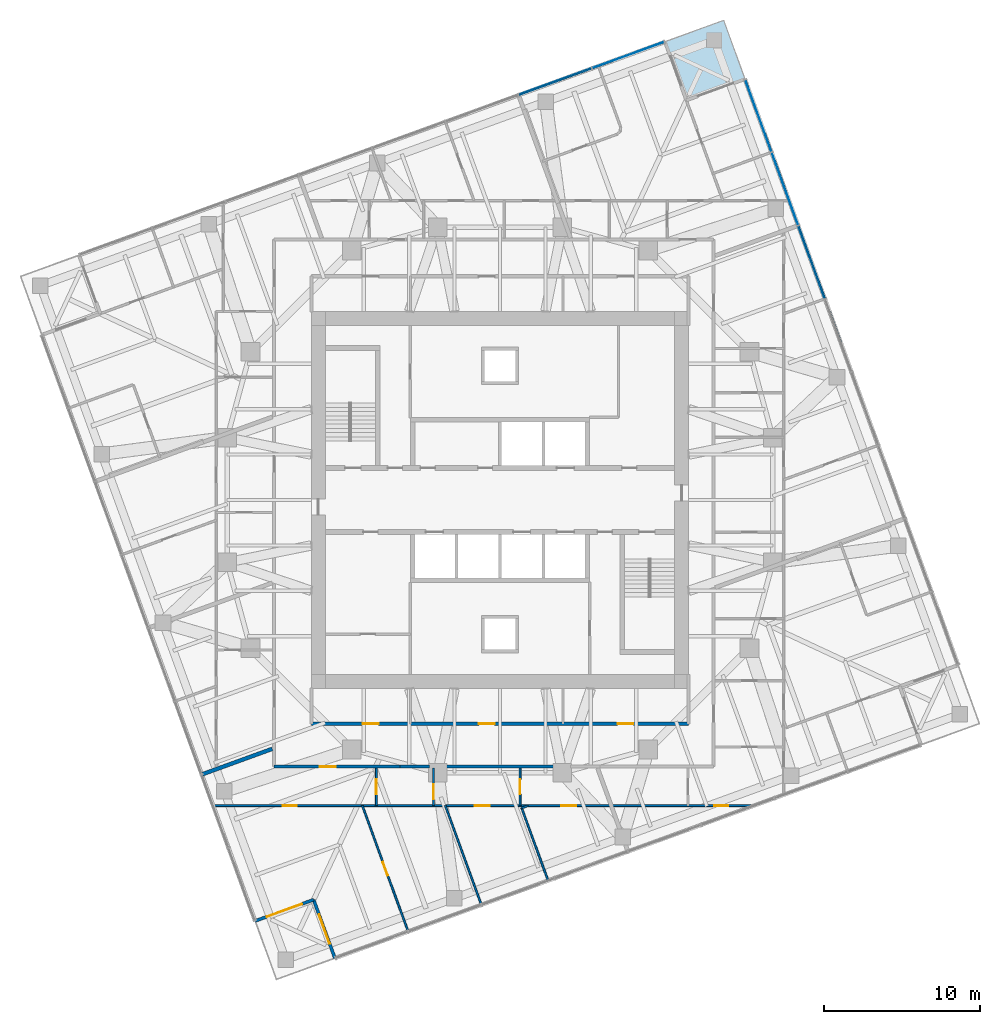
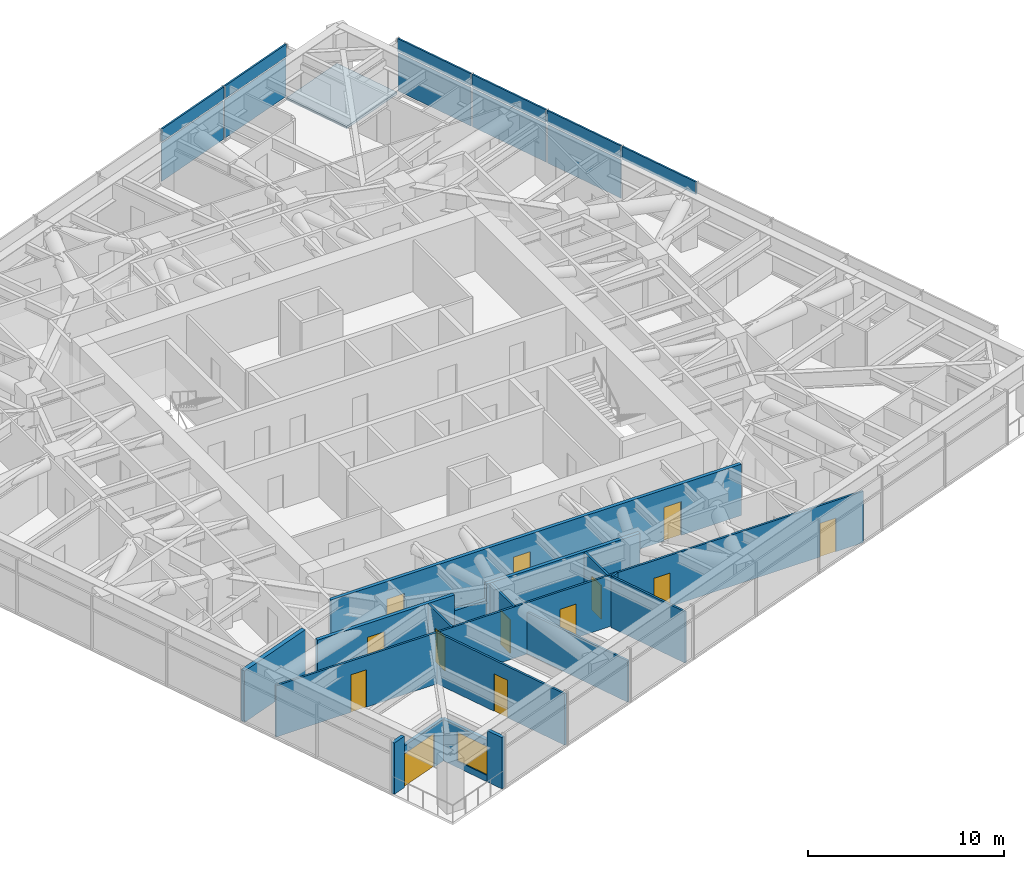
# One storey, part 9 of 16: 17 walls, 13 doors, 11 plates, 1 slab, 1 window, 14 openings, 2 elements without a shape of their own.
"""IFC4 building model written with IfcOpenShell, lengths in metres."""

from ifc_helpers import new_model, si_unit, direction, frame, frame_2d, origin, origin_2d, place, context, subcontext, project, spatial, polyline, rectangle, outline, extrude, material, layer, layer_set, type_object, element, fill, aggregate, save


model = new_model("IFC4")

# Units and contexts
model_context = context("Model", 3, precision=1e-05, world=origin(), true_north=direction((0.0, 1.0)))
body_context = subcontext(model_context, "Body", "Model", "MODEL_VIEW")
ifc_project = project(units=[si_unit("LENGTHUNIT", "METRE"), si_unit("AREAUNIT", "SQUARE_METRE"), si_unit("VOLUMEUNIT", "CUBIC_METRE"), si_unit("PLANEANGLEUNIT", "RADIAN"), si_unit("MASSUNIT", "GRAM", prefix="KILO")], contexts=[model_context])

# Site, building, storey
site_placement = place(None, origin())
site = spatial("IfcSite", under=ifc_project, at=site_placement, CompositionType="ELEMENT")
building_placement = place(site_placement, origin())
building = spatial("IfcBuilding", under=site, at=building_placement, Name="Torsade Residences", CompositionType="ELEMENT")
storey_placement = place(building_placement, frame((0.0, 0.0, 167.60009765625)))
storey = spatial("IfcBuildingStorey", under=building, at=storey_placement, Name="L46", CompositionType="ELEMENT", Elevation=167.60009765625)

# Curtain wall, plates
ifc_material_1 = material(Name="Aluminium and glass", Category="aluminium")
curtain_wall_type = type_object("IfcCurtainWallType", Name="FRITTED GLASS CURTAIN WALL MID ZONE", PredefinedType="NOTDEFINED", material=ifc_material_1)
curtain_wall_1_placement = place(storey_placement, origin())
curtain_wall_1 = element("IfcCurtainWall", 1, at=curtain_wall_1_placement, inside=storey, type_object=curtain_wall_type, Name="Curtain wall L46 face 4", PredefinedType="NOTDEFINED")
ifc_material_2 = material(Name="Laminated glass", Category="glass")
ifc_layer_1 = layer(ifc_material_2, 0.031982421875)
ifc_layer_set_1 = layer_set([ifc_layer_1], Name="Laminated glass")
plate_type_1 = type_object("IfcPlateType", Name="FRITTED GLASS PANEL", PredefinedType="CURTAIN_PANEL", material=ifc_layer_set_1)
plate_1_placement = place(storey_placement, frame((58.27734375, 49.95458984375, 0.10986328125), z_axis=(0.0, 0.0, 1.0), x_axis=(-0.342020147869, 0.939692619132, 0.0)))
plate_1 = element("IfcPlate", 2, at=plate_1_placement, type_object=plate_type_1, Name="Panel 7", PredefinedType="CURTAIN_PANEL", context=body_context, shape_type="SweptSolid", body=[
    extrude(rectangle(XDim=4.919921875, YDim=0.031982421875, at=origin_2d()), origin(), (0.0, 0.0, 1.0), 2.389892578125),
])
plate_2_placement = place(storey_placement, frame((56.57421875, 54.63427734375, 0.10986328125), z_axis=(0.0, 0.0, 1.0), x_axis=(-0.342020147869, 0.939692619132, 0.0)))
plate_2 = element("IfcPlate", 3, at=plate_2_placement, type_object=plate_type_1, Name="Panel 8", PredefinedType="CURTAIN_PANEL", context=body_context, shape_type="SweptSolid", body=[
    extrude(rectangle(XDim=4.8798828125, YDim=0.031982421875, at=origin_2d()), origin(), (0.0, 0.0, 1.0), 2.389892578125),
])

# Curtain wall, plate
curtain_wall_2_placement = place(storey_placement, origin())
curtain_wall_2 = element("IfcCurtainWall", 4, at=curtain_wall_2_placement, inside=storey, type_object=curtain_wall_type, Name="Curtain wall L46 face 7", PredefinedType="NOTDEFINED")
plate_3_placement = place(storey_placement, frame((48.21728515625, 58.53125, 0.10986328125), z_axis=(0.0, 0.0, 1.0), x_axis=(-0.939692619132, -0.342020147869, 0.0)))
plate_3 = element("IfcPlate", 5, at=plate_3_placement, type_object=plate_type_1, Name="Panel 1", PredefinedType="CURTAIN_PANEL", context=body_context, shape_type="SweptSolid", body=[
    extrude(rectangle(XDim=4.8798828125, YDim=0.031982421875, at=origin_2d()), origin(), (0.0, 0.0, 1.0), 2.389892578125),
])

# Plate
ifc_material_3 = material(Name="Aluminium composite spandrel panel", Category="aluminium")
ifc_layer_2 = layer(ifc_material_3, 0.10009765625)
ifc_layer_set_2 = layer_set([ifc_layer_2], Name="Aluminium composite spandrel panel")
plate_type_2 = type_object("IfcPlateType", Name="OPAQUE SPANDREL PANEL", PredefinedType="CURTAIN_PANEL", material=ifc_layer_set_2)
plate_4_placement = place(storey_placement, frame((61.697509765625, 40.5576171875, 2.60986328125), z_axis=(0.0, 0.0, 1.0), x_axis=(-0.342020147869, 0.939692619132, 0.0)))
plate_4 = element("IfcPlate", 6, at=plate_4_placement, type_object=plate_type_2, Name="Spandrel panel 5", PredefinedType="CURTAIN_PANEL", context=body_context, shape_type="SweptSolid", body=[
    extrude(rectangle(XDim=4.919921875, YDim=0.10009765625, at=origin_2d()), origin(), (0.0, 0.0, 1.0), 0.7900390625),
])

plate_5_placement = place(storey_placement, frame((59.987548828125, 45.256103515625, 2.60986328125), z_axis=(0.0, 0.0, 1.0), x_axis=(-0.342020147869, 0.939692619132, 0.0)))
plate_5 = element("IfcPlate", 7, at=plate_5_placement, type_object=plate_type_2, Name="Spandrel panel 6", PredefinedType="CURTAIN_PANEL", context=body_context, shape_type="SweptSolid", body=[
    extrude(rectangle(XDim=4.919921875, YDim=0.10009765625, at=origin_2d()), origin(), (0.0, 0.0, 1.0), 0.7900390625),
])

plate_6_placement = place(storey_placement, frame((58.27734375, 49.95458984375, 2.60986328125), z_axis=(0.0, 0.0, 1.0), x_axis=(-0.342020147869, 0.939692619132, 0.0)))
plate_6 = element("IfcPlate", 8, at=plate_6_placement, type_object=plate_type_2, Name="Spandrel panel 7", PredefinedType="CURTAIN_PANEL", context=body_context, shape_type="SweptSolid", body=[
    extrude(rectangle(XDim=4.919921875, YDim=0.10009765625, at=origin_2d()), origin(), (0.0, 0.0, 1.0), 0.7900390625),
])

plate_7_placement = place(storey_placement, frame((56.57421875, 54.63427734375, 2.60986328125), z_axis=(0.0, 0.0, 1.0), x_axis=(-0.342020147869, 0.939692619132, 0.0)))
plate_7 = element("IfcPlate", 9, at=plate_7_placement, type_object=plate_type_2, Name="Spandrel panel 8", PredefinedType="CURTAIN_PANEL", context=body_context, shape_type="SweptSolid", body=[
    extrude(rectangle(XDim=4.8798828125, YDim=0.10009765625, at=origin_2d()), origin(), (0.0, 0.0, 1.0), 0.7900390625),
])

plate_8_placement = place(storey_placement, frame((48.21728515625, 58.53125, 2.60986328125), z_axis=(0.0, 0.0, 1.0), x_axis=(-0.939692619132, -0.342020147869, 0.0)))
plate_8 = element("IfcPlate", 10, at=plate_8_placement, type_object=plate_type_2, Name="Spandrel panel 1", PredefinedType="CURTAIN_PANEL", context=body_context, shape_type="SweptSolid", body=[
    extrude(rectangle(XDim=4.8798828125, YDim=0.10009765625, at=origin_2d()), origin(), (0.0, 0.0, 1.0), 0.7900390625),
])

plate_9_placement = place(storey_placement, frame((43.53759765625, 56.827880859375, 2.60986328125), z_axis=(0.0, 0.0, 1.0), x_axis=(-0.939692619132, -0.342020147869, 0.0)))
plate_9 = element("IfcPlate", 11, at=plate_9_placement, type_object=plate_type_2, Name="Spandrel panel 2", PredefinedType="CURTAIN_PANEL", context=body_context, shape_type="SweptSolid", body=[
    extrude(rectangle(XDim=4.919921875, YDim=0.10009765625, at=origin_2d()), origin(), (0.0, 0.0, 1.0), 0.7900390625),
])

ifc_material_4 = material(Name="Laminated glass", Category="glass")
ifc_layer_3 = layer(ifc_material_4, 0.0400390625)
ifc_layer_set_3 = layer_set([ifc_layer_3], Name="Laminated glass")
plate_type_3 = type_object("IfcPlateType", Name="OPERABLE VENT PANEL", PredefinedType="CURTAIN_PANEL", material=ifc_layer_set_3)
plate_10_placement = place(storey_placement, frame((59.987548828125, 45.256103515625, 0.10986328125), z_axis=(0.0, 0.0, 1.0), x_axis=(-0.342020147869, 0.939692619132, 0.0)))
plate_10 = element("IfcPlate", 12, at=plate_10_placement, type_object=plate_type_3, Name="Panel 6", PredefinedType="CURTAIN_PANEL", context=body_context, shape_type="SweptSolid", body=[
    extrude(rectangle(XDim=4.919921875, YDim=0.0400390625, at=origin_2d()), origin(), (0.0, 0.0, 1.0), 2.389892578125),
])

aggregate(curtain_wall_1, [plate_4, plate_10, plate_5, plate_1, plate_6, plate_2, plate_7])

plate_11_placement = place(storey_placement, frame((43.53759765625, 56.827880859375, 0.10986328125), z_axis=(0.0, 0.0, 1.0), x_axis=(-0.939692619132, -0.342020147869, 0.0)))
plate_11 = element("IfcPlate", 13, at=plate_11_placement, type_object=plate_type_3, Name="Panel 2", PredefinedType="CURTAIN_PANEL", context=body_context, shape_type="SweptSolid", body=[
    extrude(rectangle(XDim=4.919921875, YDim=0.0400390625, at=origin_2d()), origin(), (0.0, 0.0, 1.0), 2.389892578125),
])

aggregate(curtain_wall_2, [plate_3, plate_8, plate_11, plate_9])

# Slab
ifc_material_5 = material(Name="Concrete 40 MPa", Category="concrete")
ifc_layer_4 = layer(ifc_material_5, 0.14990234375)
ifc_layer_set_4 = layer_set([ifc_layer_4], Name="Concrete 40 MPa")
slab_type = type_object("IfcSlabType", Name="TERRACE SLAB 150", PredefinedType="FLOOR", material=ifc_layer_set_4)
slab_placement = place(storey_placement, frame((0.0, 0.0, -0.150146484375)))
element("IfcSlab", 14, at=slab_placement, inside=storey, type_object=slab_type, Name="Corner terrace slab NE L46", PredefinedType="FLOOR", context=body_context, shape_type="SweptSolid", body=[
    extrude(outline(polyline([(51.953369140625, 55.63427734375), (55.712158203125, 57.00244140625), (54.34423828125, 60.760986328125), (50.58544921875, 59.39306640625), (51.953369140625, 55.63427734375)])), origin(), (0.0, 0.0, 1.0), 0.150146484375),
])

# Wall, opening, door
ifc_material_6 = material(Name="Plasterboard on steel stud", Category="steel")
ifc_layer_5 = layer(ifc_material_6, 0.199951171875)
ifc_layer_set_5 = layer_set([ifc_layer_5], Name="Plasterboard on steel stud")
wall_type_1 = type_object("IfcWallType", Name="CORRIDOR WALL 200", PredefinedType="PARTITIONING", material=ifc_layer_set_5)
wall_1_placement = place(storey_placement, frame((25.5, 12.89990234375, 0.0), z_axis=(0.0, 0.0, 1.0), x_axis=(1.0, 0.0, 0.0)))
wall_1 = element("IfcWall", 15, at=wall_1_placement, inside=storey, type_object=wall_type_1, Name="Corridor wall L46", PredefinedType="PARTITIONING", context=body_context, shape_type="SweptSolid", body=[
    extrude(rectangle(XDim=8.0966796875, YDim=0.199951171875, at=frame_2d((4.04833984375, 0.0))), origin(), (0.0, 0.0, 1.0), 3.199951171875),
])
opening_1_placement = place(wall_1_placement, frame((2.9501953125, 0.0, 0.0)))
opening_1 = element("IfcOpeningElement", 16, at=opening_1_placement, cuts=wall_1, Name="Opening D01", PredefinedType="OPENING", context=body_context, shape_type="SweptSolid", body=[
    extrude(rectangle(XDim=1.02001953125, YDim=2.340087890625, at=frame_2d((0.510009765625, 1.169921875))), frame((0.0, 0.10986328125, 0.0), z_axis=(0.0, -1.0, 0.0), x_axis=(1.0, 0.0, 0.0)), (0.0, 0.0, 1.0), 0.219970703125),
])
ifc_material_7 = material(Name="Solid-core timber fire door", Category="wood")
door_type_1 = type_object("IfcDoorType", Name="APARTMENT ENTRY DOOR 1020x2340", OperationType="NOTDEFINED", PredefinedType="DOOR", material=ifc_material_7)
door_1_placement = place(opening_1_placement, origin())
door_1 = element("IfcDoor", 17, at=door_1_placement, inside=storey, type_object=door_type_1, Name="Door Residential corridor to Kitchen and dining", OperationType="SINGLE_SWING_LEFT", OverallHeight=2.340087890625, OverallWidth=1.02001953125, PredefinedType="DOOR", context=body_context, shape_type="SweptSolid", body=[
    extrude(rectangle(XDim=1.02001953125, YDim=2.340087890625, at=frame_2d((0.510009765625, 1.169921875))), frame((0.0, 0.02490234375, 0.0), z_axis=(0.0, -1.0, 0.0), x_axis=(1.0, 0.0, 0.0)), (0.0, 0.0, 1.0), 0.050048828125),
])
fill(opening_1, door_1)

# Walls
wall_2_placement = place(storey_placement, frame((33.5966796875, 12.89990234375, 0.0), z_axis=(0.0, 0.0, 1.0), x_axis=(1.0, 0.0, 0.0)))
element("IfcWall", 18, at=wall_2_placement, inside=storey, type_object=wall_type_1, Name="Corridor wall L46", PredefinedType="PARTITIONING", context=body_context, shape_type="SweptSolid", body=[
    extrude(rectangle(XDim=1.873291015625, YDim=0.199951171875, at=frame_2d((0.9365234375, 0.0))), origin(), (0.0, 0.0, 1.0), 2.199951171875),
])
wall_3_placement = place(storey_placement, frame((35.469970703125, 12.89990234375, 0.0), z_axis=(0.0, 0.0, 1.0), x_axis=(1.0, 0.0, 0.0)))
element("IfcWall", 19, at=wall_3_placement, inside=storey, type_object=wall_type_1, Name="Corridor wall L46", PredefinedType="PARTITIONING", context=body_context, shape_type="SweptSolid", body=[
    extrude(rectangle(XDim=9.06005859375, YDim=0.199951171875, at=frame_2d((4.530029296875, 0.0))), origin(), (0.0, 0.0, 1.0), 3.199951171875),
])

# Wall, openings, doors
wall_4_placement = place(storey_placement, frame((27.89990234375, 15.64990234375, 0.0), z_axis=(0.0, 0.0, 1.0), x_axis=(1.0, 0.0, 0.0)))
wall_4 = element("IfcWall", 20, at=wall_4_placement, inside=storey, type_object=wall_type_1, Name="Corridor wall L46", PredefinedType="PARTITIONING", context=body_context, shape_type="SweptSolid", body=[
    extrude(rectangle(XDim=24.2001953125, YDim=0.199951171875, at=frame_2d((12.10009765625, 0.0))), origin(), (0.0, 0.0, 1.0), 3.199951171875),
])
opening_2_placement = place(wall_4_placement, frame((10.742919921875, 0.0, 0.0)))
opening_2 = element("IfcOpeningElement", 21, at=opening_2_placement, cuts=wall_4, Name="Opening D03", PredefinedType="OPENING", context=body_context, shape_type="SweptSolid", body=[
    extrude(rectangle(XDim=1.02001953125, YDim=2.10009765625, at=frame_2d((0.510009765625, 1.050048828125))), frame((0.0, 0.10986328125, 0.0), z_axis=(0.0, -1.0, 0.0), x_axis=(1.0, 0.0, 0.0)), (0.0, 0.0, 1.0), 0.219970703125),
])
opening_3_placement = place(wall_4_placement, frame((19.6357421875, 0.0, 0.0)))
opening_3 = element("IfcOpeningElement", 22, at=opening_3_placement, cuts=wall_4, Name="Opening D03", PredefinedType="OPENING", context=body_context, shape_type="SweptSolid", body=[
    extrude(rectangle(XDim=1.02001953125, YDim=2.10009765625, at=frame_2d((0.510009765625, 1.050048828125))), frame((0.0, 0.10986328125, 0.0), z_axis=(0.0, -1.0, 0.0), x_axis=(1.0, 0.0, 0.0)), (0.0, 0.0, 1.0), 0.219970703125),
])
opening_4_placement = place(wall_4_placement, frame((3.29736328125, 0.0, 0.0)))
opening_4 = element("IfcOpeningElement", 23, at=opening_4_placement, cuts=wall_4, Name="Opening D03", PredefinedType="OPENING", context=body_context, shape_type="SweptSolid", body=[
    extrude(rectangle(XDim=1.02001953125, YDim=2.10009765625, at=frame_2d((0.510009765625, 1.050048828125))), frame((0.0, 0.10986328125, 0.0), z_axis=(0.0, -1.0, 0.0), x_axis=(1.0, 0.0, 0.0)), (0.0, 0.0, 1.0), 0.219970703125),
])
ifc_material_8 = material(Name="Steel-framed fire door", Category="steel")
door_type_2 = type_object("IfcDoorType", Name="FIRE DOOR 1020", OperationType="NOTDEFINED", PredefinedType="DOOR", material=ifc_material_8)
door_2_placement = place(opening_2_placement, origin())
door_2 = element("IfcDoor", 24, at=door_2_placement, inside=storey, type_object=door_type_2, Name="Door Residential corridor to Residents storage", OperationType="SINGLE_SWING_RIGHT", OverallHeight=2.10009765625, OverallWidth=1.02001953125, PredefinedType="DOOR", context=body_context, shape_type="SweptSolid", body=[
    extrude(rectangle(XDim=1.02001953125, YDim=2.10009765625, at=frame_2d((0.510009765625, 1.050048828125))), frame((0.0, 0.02490234375, 0.0), z_axis=(0.0, -1.0, 0.0), x_axis=(1.0, 0.0, 0.0)), (0.0, 0.0, 1.0), 0.050048828125),
])
fill(opening_2, door_2)
door_3_placement = place(opening_3_placement, origin())
door_3 = element("IfcDoor", 25, at=door_3_placement, inside=storey, type_object=door_type_2, Name="Door Residential corridor to Parcel room", OperationType="SINGLE_SWING_RIGHT", OverallHeight=2.10009765625, OverallWidth=1.02001953125, PredefinedType="DOOR", context=body_context, shape_type="SweptSolid", body=[
    extrude(rectangle(XDim=1.02001953125, YDim=2.10009765625, at=frame_2d((0.510009765625, 1.050048828125))), frame((0.0, 0.02490234375, 0.0), z_axis=(0.0, -1.0, 0.0), x_axis=(1.0, 0.0, 0.0)), (0.0, 0.0, 1.0), 0.050048828125),
])
fill(opening_3, door_3)
door_4_placement = place(opening_4_placement, origin())
door_4 = element("IfcDoor", 26, at=door_4_placement, inside=storey, type_object=door_type_2, Name="Door Residential corridor to Bulk store", OperationType="SINGLE_SWING_RIGHT", OverallHeight=2.10009765625, OverallWidth=1.02001953125, PredefinedType="DOOR", context=body_context, shape_type="SweptSolid", body=[
    extrude(rectangle(XDim=1.02001953125, YDim=2.10009765625, at=frame_2d((0.510009765625, 1.050048828125))), frame((0.0, 0.02490234375, 0.0), z_axis=(0.0, -1.0, 0.0), x_axis=(1.0, 0.0, 0.0)), (0.0, 0.0, 1.0), 0.050048828125),
])
fill(opening_4, door_4)

# Wall, opening, door
ifc_material_9 = material(Name="Plasterboard on steel stud", Category="steel")
ifc_layer_6 = layer(ifc_material_9, 0.1201171875)
ifc_layer_set_6 = layer_set([ifc_layer_6], Name="Plasterboard on steel stud")
wall_type_2 = type_object("IfcWallType", Name="PARTITION 120", PredefinedType="PARTITIONING", material=ifc_layer_set_6)
wall_5_placement = place(storey_placement, frame((32.070556640625, 12.800048828125, 0.0), z_axis=(0.0, 0.0, 1.0), x_axis=(0.0, -1.0, 0.0)))
wall_5 = element("IfcWall", 27, at=wall_5_placement, inside=storey, type_object=wall_type_2, Name="Partition L46", PredefinedType="PARTITIONING", context=body_context, shape_type="SweptSolid", body=[
    extrude(rectangle(XDim=2.400146484375, YDim=0.1201171875, at=frame_2d((1.2001953125, 0.0))), origin(), (0.0, 0.0, 1.0), 3.199951171875),
])
opening_5_placement = place(wall_5_placement, frame((0.719970703125, 0.0, 0.0)))
opening_5 = element("IfcOpeningElement", 28, at=opening_5_placement, cuts=wall_5, Name="Opening D05", PredefinedType="OPENING", context=body_context, shape_type="SweptSolid", body=[
    extrude(rectangle(XDim=0.9599609375, YDim=2.10009765625, at=frame_2d((0.47998046875, 1.050048828125))), frame((0.0, 0.070068359375, 0.0), z_axis=(0.0, -1.0, 0.0), x_axis=(1.0, 0.0, 0.0)), (0.0, 0.0, 1.0), 0.14013671875),
])
ifc_material_10 = material(Name="Hollow-core timber door in a steel cavity frame", Category="steel")
door_type_3 = type_object("IfcDoorType", Name="BATHROOM CAVITY SLIDING DOOR 960", OperationType="SLIDING_TO_LEFT", PredefinedType="DOOR", material=ifc_material_10)
door_5_placement = place(opening_5_placement, origin())
door_5 = element("IfcDoor", 29, at=door_5_placement, inside=storey, type_object=door_type_3, Name="Door Kitchen and dining to Laundry", OperationType="SLIDING_TO_LEFT", OverallHeight=2.10009765625, OverallWidth=0.9599609375, PredefinedType="DOOR", context=body_context, shape_type="SweptSolid", body=[
    extrude(rectangle(XDim=0.9599609375, YDim=2.10009765625, at=frame_2d((0.47998046875, 1.050048828125))), frame((0.0, 0.02490234375, 0.0), z_axis=(0.0, -1.0, 0.0), x_axis=(1.0, 0.0, 0.0)), (0.0, 0.0, 1.0), 0.050048828125),
])
fill(opening_5, door_5)

# Wall, openings, doors
wall_6_placement = place(storey_placement, frame((56.28076171875, 10.39990234375, 0.0), z_axis=(0.0, 0.0, 1.0), x_axis=(-1.0, 0.0, 0.0)))
wall_6 = element("IfcWall", 30, at=wall_6_placement, inside=storey, type_object=wall_type_2, Name="Partition L46", PredefinedType="PARTITIONING", context=body_context, shape_type="SweptSolid", body=[
    extrude(rectangle(XDim=34.647216796875, YDim=0.1201171875, at=frame_2d((17.32373046875, 0.0))), origin(), (0.0, 0.0, 1.0), 3.199951171875),
])
opening_6_placement = place(wall_6_placement, frame((29.30859375, 0.0, 0.0)))
opening_6 = element("IfcOpeningElement", 31, at=opening_6_placement, cuts=wall_6, Name="Opening D02", PredefinedType="OPENING", context=body_context, shape_type="SweptSolid", body=[
    extrude(rectangle(XDim=0.919921875, YDim=2.340087890625, at=frame_2d((0.4599609375, 1.169921875))), frame((0.0, 0.070068359375, 0.0), z_axis=(0.0, -1.0, 0.0), x_axis=(1.0, 0.0, 0.0)), (0.0, 0.0, 1.0), 0.14013671875),
])
opening_7_placement = place(wall_6_placement, frame((1.63232421875, 0.0, 0.0)))
opening_7 = element("IfcOpeningElement", 32, at=opening_7_placement, cuts=wall_6, Name="Opening D02L", PredefinedType="OPENING", context=body_context, shape_type="SweptSolid", body=[
    extrude(rectangle(XDim=0.919921875, YDim=2.10009765625, at=frame_2d((0.4599609375, 1.050048828125))), frame((0.0, 0.070068359375, 0.0), z_axis=(0.0, -1.0, 0.0), x_axis=(1.0, 0.0, 0.0)), (0.0, 0.0, 1.0), 0.14013671875),
])
opening_8_placement = place(wall_6_placement, frame((16.937744140625, 0.0, 0.0)))
opening_8 = element("IfcOpeningElement", 33, at=opening_8_placement, cuts=wall_6, Name="Opening D05", PredefinedType="OPENING", context=body_context, shape_type="SweptSolid", body=[
    extrude(rectangle(XDim=0.9599609375, YDim=2.10009765625, at=frame_2d((0.47998046875, 1.050048828125))), frame((0.0, 0.070068359375, 0.0), z_axis=(0.0, -1.0, 0.0), x_axis=(1.0, 0.0, 0.0)), (0.0, 0.0, 1.0), 0.14013671875),
])
opening_9_placement = place(wall_6_placement, frame((11.400390625, 0.0, 0.0)))
opening_9 = element("IfcOpeningElement", 34, at=opening_9_placement, cuts=wall_6, Name="Opening D05", PredefinedType="OPENING", context=body_context, shape_type="SweptSolid", body=[
    extrude(rectangle(XDim=0.9599609375, YDim=2.10009765625, at=frame_2d((0.47998046875, 1.050048828125))), frame((0.0, 0.070068359375, 0.0), z_axis=(0.0, -1.0, 0.0), x_axis=(1.0, 0.0, 0.0)), (0.0, 0.0, 1.0), 0.14013671875),
])
door_6_placement = place(opening_8_placement, origin())
door_6 = element("IfcDoor", 35, at=door_6_placement, inside=storey, type_object=door_type_3, Name="Door Bathroom to Bedroom 2", OperationType="SLIDING_TO_LEFT", OverallHeight=2.10009765625, OverallWidth=0.9599609375, PredefinedType="DOOR", context=body_context, shape_type="SweptSolid", body=[
    extrude(rectangle(XDim=0.9599609375, YDim=2.10009765625, at=frame_2d((0.47998046875, 1.050048828125))), frame((0.0, 0.02490234375, 0.0), z_axis=(0.0, -1.0, 0.0), x_axis=(1.0, 0.0, 0.0)), (0.0, 0.0, 1.0), 0.050048828125),
])
fill(opening_8, door_6)
door_7_placement = place(opening_9_placement, origin())
door_7 = element("IfcDoor", 36, at=door_7_placement, inside=storey, type_object=door_type_3, Name="Door Ensuite to Bedroom 3", OperationType="SLIDING_TO_LEFT", OverallHeight=2.10009765625, OverallWidth=0.9599609375, PredefinedType="DOOR", context=body_context, shape_type="SweptSolid", body=[
    extrude(rectangle(XDim=0.9599609375, YDim=2.10009765625, at=frame_2d((0.47998046875, 1.050048828125))), frame((0.0, 0.02490234375, 0.0), z_axis=(0.0, -1.0, 0.0), x_axis=(1.0, 0.0, 0.0)), (0.0, 0.0, 1.0), 0.050048828125),
])
fill(opening_9, door_7)
ifc_material_11 = material(Name="Hollow-core timber door", Category="wood")
door_type_4 = type_object("IfcDoorType", Name="INTERNAL DOOR 920x2100", OperationType="NOTDEFINED", PredefinedType="DOOR", material=ifc_material_11)
door_8_placement = place(opening_7_placement, origin())
door_8 = element("IfcDoor", 37, at=door_8_placement, inside=storey, type_object=door_type_4, Name="Door Scullery to Study", OperationType="SINGLE_SWING_RIGHT", OverallHeight=2.10009765625, OverallWidth=0.919921875, PredefinedType="DOOR", context=body_context, shape_type="SweptSolid", body=[
    extrude(rectangle(XDim=0.919921875, YDim=2.10009765625, at=frame_2d((0.4599609375, 1.050048828125))), frame((0.0, 0.02490234375, 0.0), z_axis=(0.0, -1.0, 0.0), x_axis=(1.0, 0.0, 0.0)), (0.0, 0.0, 1.0), 0.050048828125),
])
fill(opening_7, door_8)
ifc_material_12 = material(Name="Hollow-core timber door", Category="wood")
door_type_5 = type_object("IfcDoorType", Name="INTERNAL DOOR 920x2340", OperationType="NOTDEFINED", PredefinedType="DOOR", material=ifc_material_12)
door_9_placement = place(opening_6_placement, origin())
door_9 = element("IfcDoor", 38, at=door_9_placement, inside=storey, type_object=door_type_5, Name="Door Kitchen and dining to Living room", OperationType="SINGLE_SWING_LEFT", OverallHeight=2.340087890625, OverallWidth=0.919921875, PredefinedType="DOOR", context=body_context, shape_type="SweptSolid", body=[
    extrude(rectangle(XDim=0.919921875, YDim=2.340087890625, at=frame_2d((0.4599609375, 1.169921875))), frame((0.0, 0.02490234375, 0.0), z_axis=(0.0, -1.0, 0.0), x_axis=(1.0, 0.0, 0.0)), (0.0, 0.0, 1.0), 0.050048828125),
])
fill(opening_6, door_9)

# Wall, opening, door
wall_7_placement = place(storey_placement, frame((41.287109375, 12.800048828125, 0.0), z_axis=(0.0, 0.0, 1.0), x_axis=(0.0, -1.0, 0.0)))
wall_7 = element("IfcWall", 39, at=wall_7_placement, inside=storey, type_object=wall_type_2, Name="Partition L46", PredefinedType="PARTITIONING", context=body_context, shape_type="SweptSolid", body=[
    extrude(rectangle(XDim=2.400146484375, YDim=0.1201171875, at=frame_2d((1.2001953125, 0.0))), origin(), (0.0, 0.0, 1.0), 3.199951171875),
])
opening_10_placement = place(wall_7_placement, frame((0.719970703125, 0.0, 0.0)))
opening_10 = element("IfcOpeningElement", 40, at=opening_10_placement, cuts=wall_7, Name="Opening D05", PredefinedType="OPENING", context=body_context, shape_type="SweptSolid", body=[
    extrude(rectangle(XDim=0.9599609375, YDim=2.10009765625, at=frame_2d((0.47998046875, 1.050048828125))), frame((0.0, 0.070068359375, 0.0), z_axis=(0.0, -1.0, 0.0), x_axis=(1.0, 0.0, 0.0)), (0.0, 0.0, 1.0), 0.14013671875),
])
door_10_placement = place(opening_10_placement, origin())
door_10 = element("IfcDoor", 41, at=door_10_placement, inside=storey, type_object=door_type_3, Name="Door Bathroom to Ensuite", OperationType="SLIDING_TO_LEFT", OverallHeight=2.10009765625, OverallWidth=0.9599609375, PredefinedType="DOOR", context=body_context, shape_type="SweptSolid", body=[
    extrude(rectangle(XDim=0.9599609375, YDim=2.10009765625, at=frame_2d((0.47998046875, 1.050048828125))), frame((0.0, 0.02490234375, 0.0), z_axis=(0.0, -1.0, 0.0), x_axis=(1.0, 0.0, 0.0)), (0.0, 0.0, 1.0), 0.050048828125),
])
fill(opening_10, door_10)

wall_8_placement = place(storey_placement, frame((35.737060546875, 10.39990234375, 0.0), z_axis=(0.0, 0.0, 1.0), x_axis=(0.0, 1.0, 0.0)))
wall_8 = element("IfcWall", 42, at=wall_8_placement, inside=storey, type_object=wall_type_2, Name="Partition L46", PredefinedType="PARTITIONING", context=body_context, shape_type="SweptSolid", body=[
    extrude(rectangle(XDim=2.400146484375, YDim=0.1201171875, at=frame_2d((1.2001953125, 0.0))), origin(), (0.0, 0.0, 1.0), 3.199951171875),
])
opening_11_placement = place(wall_8_placement, frame((0.419921875, 0.0, 0.0)))
opening_11 = element("IfcOpeningElement", 43, at=opening_11_placement, cuts=wall_8, Name="Opening D05", PredefinedType="OPENING", context=body_context, shape_type="SweptSolid", body=[
    extrude(rectangle(XDim=0.9599609375, YDim=2.10009765625, at=frame_2d((0.47998046875, 1.050048828125))), frame((0.0, 0.070068359375, 0.0), z_axis=(0.0, -1.0, 0.0), x_axis=(1.0, 0.0, 0.0)), (0.0, 0.0, 1.0), 0.14013671875),
])
door_11_placement = place(opening_11_placement, origin())
door_11 = element("IfcDoor", 44, at=door_11_placement, inside=storey, type_object=door_type_3, Name="Door Laundry to Bathroom", OperationType="SLIDING_TO_LEFT", OverallHeight=2.10009765625, OverallWidth=0.9599609375, PredefinedType="DOOR", context=body_context, shape_type="SweptSolid", body=[
    extrude(rectangle(XDim=0.9599609375, YDim=2.10009765625, at=frame_2d((0.47998046875, 1.050048828125))), frame((0.0, 0.02490234375, 0.0), z_axis=(0.0, -1.0, 0.0), x_axis=(1.0, 0.0, 0.0)), (0.0, 0.0, 1.0), 0.050048828125),
])
fill(opening_11, door_11)

wall_9_placement = place(storey_placement, frame((31.171142578125, 10.39990234375, 0.0), z_axis=(0.0, 0.0, 1.0), x_axis=(0.34202238111, -0.939691806296, 0.0)))
wall_9 = element("IfcWall", 45, at=wall_9_placement, inside=storey, type_object=wall_type_2, Name="Partition L46", PredefinedType="PARTITIONING", context=body_context, shape_type="SweptSolid", body=[
    extrude(rectangle(XDim=8.5615234375, YDim=0.1201171875, at=frame_2d((4.28076171875, 0.0))), origin(), (0.0, 0.0, 1.0), 3.199951171875),
])
opening_12_placement = place(wall_9_placement, frame((3.8408203125, 0.0, 0.0)))
opening_12 = element("IfcOpeningElement", 46, at=opening_12_placement, cuts=wall_9, Name="Opening D02", PredefinedType="OPENING", context=body_context, shape_type="SweptSolid", body=[
    extrude(rectangle(XDim=0.919921875, YDim=2.340087890625, at=frame_2d((0.4599609375, 1.169921875))), frame((0.0, 0.070068359375, 0.0), z_axis=(0.0, -1.0, 0.0), x_axis=(1.0, 0.0, 0.0)), (0.0, 0.0, 1.0), 0.14013671875),
])
door_12_placement = place(opening_12_placement, origin())
door_12 = element("IfcDoor", 47, at=door_12_placement, inside=storey, type_object=door_type_5, Name="Door Living room to Bedroom 1", OperationType="SINGLE_SWING_RIGHT", OverallHeight=2.340087890625, OverallWidth=0.919921875, PredefinedType="DOOR", context=body_context, shape_type="SweptSolid", body=[
    extrude(rectangle(XDim=0.919921875, YDim=2.340087890625, at=frame_2d((0.4599609375, 1.169921875))), frame((0.0, 0.02490234375, 0.0), z_axis=(0.0, -1.0, 0.0), x_axis=(1.0, 0.0, 0.0)), (0.0, 0.0, 1.0), 0.050048828125),
])
fill(opening_12, door_12)

# Walls
wall_10_placement = place(storey_placement, frame((36.491943359375, 10.39990234375, 0.0), z_axis=(0.0, 0.0, 1.0), x_axis=(0.342030900012, -0.939688705602, 0.0)))
element("IfcWall", 48, at=wall_10_placement, inside=storey, type_object=wall_type_2, Name="Partition L46", PredefinedType="PARTITIONING", context=body_context, shape_type="SweptSolid", body=[
    extrude(rectangle(XDim=6.74169921875, YDim=0.1201171875, at=frame_2d((3.370849609375, 0.0))), origin(), (0.0, 0.0, 1.0), 2.587890625),
])
wall_11_placement = place(storey_placement, frame((41.798583984375, 10.394775390625, 0.0), z_axis=(0.0, 0.0, 1.0), x_axis=(-0.939678576029, -0.342058728513, 0.0)))
element("IfcWall", 49, at=wall_11_placement, inside=storey, type_object=wall_type_2, Name="Partition L46", PredefinedType="PARTITIONING", context=body_context, shape_type="SweptSolid", body=[
    extrude(rectangle(XDim=0.4345703125, YDim=0.1201171875, at=frame_2d((0.21728515625, 0.0))), origin(), (0.0, 0.0, 1.0), 3.199951171875),
])
wall_12_placement = place(storey_placement, frame((41.39013671875, 10.24609375, 0.0), z_axis=(0.0, 0.0, 1.0), x_axis=(0.342017860496, -0.939693451665, 0.0)))
element("IfcWall", 50, at=wall_12_placement, inside=storey, type_object=wall_type_2, Name="Partition L46", PredefinedType="PARTITIONING", context=body_context, shape_type="SweptSolid", body=[
    extrude(rectangle(XDim=4.921875, YDim=0.1201171875, at=frame_2d((2.4609375, 0.0))), origin(), (0.0, 0.0, 1.0), 3.199951171875),
])
ifc_material_13 = material(Name="Masonry-lined stud party wall", Category="masonry")
ifc_layer_7 = layer(ifc_material_13, 0.25)
ifc_layer_set_7 = layer_set([ifc_layer_7], Name="Masonry-lined stud party wall")
wall_type_3 = type_object("IfcWallType", Name="PARTY WALL 250", PredefinedType="PARTITIONING", material=ifc_layer_set_7)
wall_13_placement = place(storey_placement, frame((20.86767578125, 12.39453125, 0.0), z_axis=(0.0, 0.0, 1.0), x_axis=(0.939677962656, 0.342060413521, 0.0)))
element("IfcWall", 51, at=wall_13_placement, inside=storey, type_object=wall_type_3, Name="Party wall L46", PredefinedType="PARTITIONING", context=body_context, shape_type="SweptSolid", body=[
    extrude(rectangle(XDim=4.817626953125, YDim=0.25, at=frame_2d((2.40869140625, 0.0))), origin(), (0.0, 0.0, 1.0), 3.199951171875),
])
ifc_material_14 = material(Name="Stone-faced precast concrete 40 MPa panel", Category="masonry")
ifc_layer_8 = layer(ifc_material_14, 0.199951171875)
ifc_layer_set_8 = layer_set([ifc_layer_8], Name="Stone-faced precast concrete 40 MPa panel")
wall_type_4 = type_object("IfcWallType", Name="TERRACE WALL 200", PredefinedType="SOLIDWALL", material=ifc_layer_set_8)
wall_14_placement = place(storey_placement, frame((24.287841796875, 2.99755859375, 0.0), z_axis=(0.0, 0.0, 1.0), x_axis=(0.939659694648, 0.342110593602, 0.0)))
element("IfcWall", 52, at=wall_14_placement, inside=storey, type_object=wall_type_4, Name="Terrace wall L46 11", PredefinedType="SOLIDWALL", context=body_context, shape_type="SweptSolid", body=[
    extrude(rectangle(XDim=0.800048828125, YDim=0.199951171875, at=frame_2d((0.39990234375, 0.0))), origin(), (0.0, 0.0, 1.0), 3.199951171875),
])

# Wall, opening, door
wall_15_placement = place(storey_placement, frame((25.03955078125, 3.271240234375, 0.0), z_axis=(0.0, 0.0, 1.0), x_axis=(0.939693144909, 0.342018703306, 0.0)))
wall_15 = element("IfcWall", 53, at=wall_15_placement, inside=storey, type_object=wall_type_4, Name="Terrace wall L46 11", PredefinedType="SOLIDWALL", context=body_context, shape_type="SweptSolid", body=[
    extrude(rectangle(XDim=3.199951171875, YDim=0.199951171875, at=frame_2d((1.60009765625, 0.0))), origin(), (0.0, 0.0, 1.0), 2.587890625),
])
opening_13_placement = place(wall_15_placement, origin())
opening_13 = element("IfcOpeningElement", 54, at=opening_13_placement, cuts=wall_15, Name="Opening D10A", PredefinedType="OPENING", context=body_context, shape_type="SweptSolid", body=[
    extrude(rectangle(XDim=2.39990234375, YDim=2.10009765625, at=frame_2d((1.199951171875, 1.050048828125))), frame((0.0, 0.10986328125, 0.0), z_axis=(0.0, -1.0, 0.0), x_axis=(1.0, 0.0, 0.0)), (0.0, 0.0, 1.0), 0.219970703125),
])
ifc_material_15 = material(Name="Aluminium-framed glass door", Category="aluminium")
door_type_6 = type_object("IfcDoorType", Name="TERRACE SLIDING DOOR 2400x2100", OperationType="SLIDING_TO_LEFT", PredefinedType="DOOR", material=ifc_material_15)
door_13_placement = place(opening_13_placement, origin())
door_13 = element("IfcDoor", 55, at=door_13_placement, inside=storey, type_object=door_type_6, Name="Terrace door L46 11", OperationType="SLIDING_TO_LEFT", OverallHeight=2.10009765625, OverallWidth=2.39990234375, PredefinedType="DOOR", context=body_context, shape_type="SweptSolid", body=[
    extrude(rectangle(XDim=2.39990234375, YDim=2.10009765625, at=frame_2d((1.199951171875, 1.050048828125))), frame((0.0, 0.02490234375, 0.0), z_axis=(0.0, -1.0, 0.0), x_axis=(1.0, 0.0, 0.0)), (0.0, 0.0, 1.0), 0.050048828125),
])
fill(opening_13, door_13)

# Wall, opening, window
wall_16_placement = place(storey_placement, frame((28.046630859375, 4.36572265625, 0.0), z_axis=(0.0, 0.0, 1.0), x_axis=(0.341965219194, -0.939712609717, 0.0)))
wall_16 = element("IfcWall", 56, at=wall_16_placement, inside=storey, type_object=wall_type_4, Name="Terrace wall L46 12", PredefinedType="SOLIDWALL", context=body_context, shape_type="SweptSolid", body=[
    extrude(rectangle(XDim=3.0, YDim=0.199951171875, at=frame_2d((1.5, 0.0))), origin(), (0.0, 0.0, 1.0), 2.587890625),
])
opening_14_placement = place(wall_16_placement, frame((1.0, 0.0, 0.39990234375)))
opening_14 = element("IfcOpeningElement", 57, at=opening_14_placement, cuts=wall_16, Name="Opening W1B", PredefinedType="OPENING", context=body_context, shape_type="SweptSolid", body=[
    extrude(rectangle(XDim=2.0, YDim=1.800048828125, at=frame_2d((1.0, 0.89990234375))), frame((0.0, 0.10986328125, 0.0), z_axis=(0.0, -1.0, 0.0), x_axis=(1.0, 0.0, 0.0)), (0.0, 0.0, 1.0), 0.219970703125),
])
ifc_material_16 = material(Name="Aluminium-framed glass window", Category="aluminium")
window_type = type_object("IfcWindowType", Name="TERRACE WINDOW 2000x1800", PartitioningType="SINGLE_PANEL", PredefinedType="WINDOW", material=ifc_material_16)
window_placement = place(opening_14_placement, origin())
window = element("IfcWindow", 58, at=window_placement, inside=storey, type_object=window_type, Name="Terrace window L46 12", OverallHeight=1.800048828125, OverallWidth=2.0, PartitioningType="SINGLE_PANEL", PredefinedType="WINDOW", context=body_context, shape_type="SweptSolid", body=[
    extrude(rectangle(XDim=2.0, YDim=1.800048828125, at=frame_2d((1.0, 0.89990234375))), frame((0.0, 0.030029296875, 0.0), z_axis=(0.0, -1.0, 0.0), x_axis=(1.0, 0.0, 0.0)), (0.0, 0.0, 1.0), 0.06005859375),
])
fill(opening_14, window)

# Wall
wall_17_placement = place(storey_placement, frame((29.072509765625, 1.546630859375, 0.0), z_axis=(0.0, 0.0, 1.0), x_axis=(0.342037080957, -0.939686455819, 0.0)))
element("IfcWall", 59, at=wall_17_placement, inside=storey, type_object=wall_type_4, Name="Terrace wall L46 12", PredefinedType="SOLIDWALL", context=body_context, shape_type="SweptSolid", body=[
    extrude(rectangle(XDim=1.0, YDim=0.199951171875, at=frame_2d((0.5, 0.0))), origin(), (0.0, 0.0, 1.0), 3.199951171875),
])

save(model, "model.ifc")
